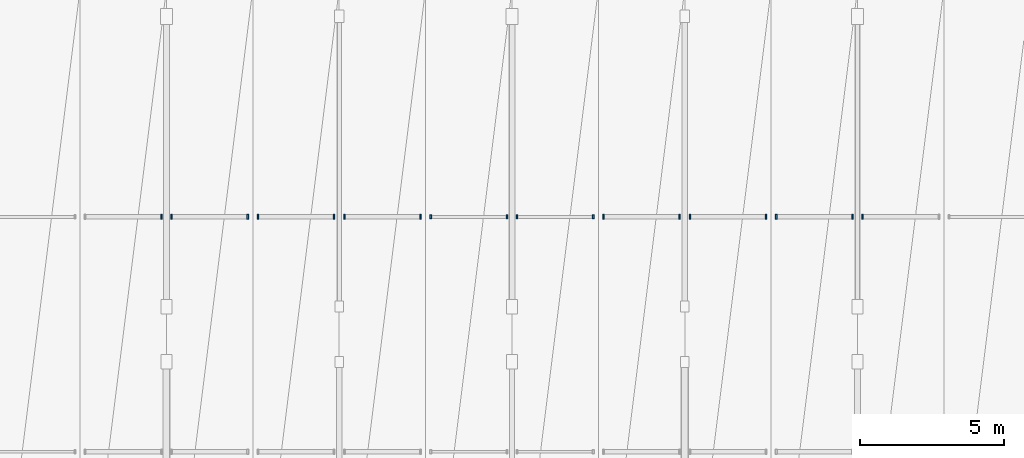
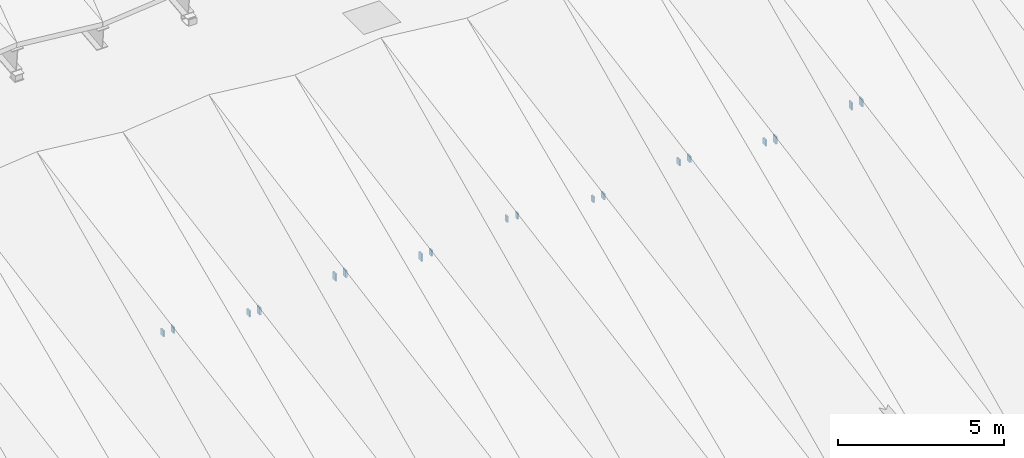
# One storey, part 47 of 52: 18 discrete accessories.
"""IFC4 building model written with IfcOpenShell, lengths in metres."""

from ifc_helpers import new_model, si_unit, direction, frame, origin, origin_2d, place, context, subcontext, project, spatial, rectangle, extrude, material, layer, layer_set, type_object, element, save


model = new_model("IFC4")

# Units and contexts
model_context = context("Model", 3, precision=1e-05, world=origin(), true_north=direction((0.0, 1.0)))
body_context = subcontext(model_context, "Body", "Model", "MODEL_VIEW")
ifc_project = project(units=[si_unit("LENGTHUNIT", "METRE"), si_unit("AREAUNIT", "SQUARE_METRE"), si_unit("VOLUMEUNIT", "CUBIC_METRE"), si_unit("PLANEANGLEUNIT", "RADIAN"), si_unit("MASSUNIT", "GRAM", prefix="KILO")], contexts=[model_context])

# Site, building, storey
site_placement = place(None, origin())
site = spatial("IfcSite", under=ifc_project, at=site_placement, CompositionType="ELEMENT")
building_placement = place(site_placement, origin())
building = spatial("IfcBuilding", under=site, at=building_placement, Name="Vaelkrest Opera House", CompositionType="ELEMENT")
storey_placement = place(building_placement, frame((0.0, 0.0, 41.39990234375)))
storey = spatial("IfcBuildingStorey", under=building, at=storey_placement, Name="ROOF", CompositionType="ELEMENT", Elevation=41.39990234375)

# Discrete accessories
ifc_material = material(Name="Steel A572 Gr50", Category="steel")
ifc_layer = layer(ifc_material, 0.320068359375)
ifc_layer_set = layer_set([ifc_layer], Name="Steel A572 Gr50")
discrete_accessory_type = type_object("IfcDiscreteAccessoryType", Name="ECP01", PredefinedType="USERDEFINED", material=ifc_layer_set)
for number, where, z_axis, x_axis, name in (
    (1, (-15.177490234375, 8.280029296875, -4.9072265625), (0.0, 0.0, 1.0), (1.0, 0.0, 0.0), "Purlin HSS end cap plate V1-03-S3-67-W1"),
    (2, (-14.822509765625, 8.280029296875, -4.9072265625), (0.0, 0.0, 1.0), (1.0, 0.0, 0.0), "Purlin HSS end cap plate V1-03-S3-67-E0"),
    (3, (-12.177490234375, 8.280029296875, -5.2314453125), (0.0, 0.0, 1.0), (1.0, 0.0, 0.0), "Purlin HSS end cap plate V1-03-S3-67-E1"),
):
    element("IfcDiscreteAccessory", number, at=place(storey_placement, frame(where, z_axis=z_axis, x_axis=x_axis)), inside=storey, type_object=discrete_accessory_type, Name=name, ObjectType="CAP PLATE", PredefinedType="USERDEFINED", context=body_context, shape_type="SweptSolid", body=[
        extrude(rectangle(XDim=0.054931640625, YDim=0.176025390625, at=origin_2d()), origin(), (0.0, 0.0, 1.0), 0.218994140625),
    ])
for number, where, z_axis, x_axis, name in (
    (4, (-11.822509765625, 8.280029296875, -5.281982421875), (0.0, 0.0, 1.0), (1.0, 0.0, 0.0), "Purlin HSS end cap plate V1-04-S3-67-W0"),
    (5, (-9.177490234375, 8.280029296875, -4.9580078125), (0.0, 0.0, 1.0), (1.0, 0.0, 0.0), "Purlin HSS end cap plate V1-04-S3-67-W1"),
    (6, (-8.822509765625, 8.280029296875, -4.9580078125), (0.0, 0.0, 1.0), (1.0, 0.0, 0.0), "Purlin HSS end cap plate V1-04-S3-67-E0"),
    (7, (-6.177490234375, 8.280029296875, -5.281982421875), (0.0, 0.0, 1.0), (1.0, 0.0, 0.0), "Purlin HSS end cap plate V1-04-S3-67-E1"),
):
    element("IfcDiscreteAccessory", number, at=place(storey_placement, frame(where, z_axis=z_axis, x_axis=x_axis)), inside=storey, type_object=discrete_accessory_type, Name=name, ObjectType="CAP PLATE", PredefinedType="USERDEFINED", context=body_context, shape_type="SweptSolid", body=[
        extrude(rectangle(XDim=0.054931640625, YDim=0.176025390625, at=origin_2d()), origin(), (0.0, 0.0, 1.0), 0.27001953125),
    ])
for number, where, z_axis, x_axis, name in (
    (8, (-5.822509765625, 8.280029296875, -5.2314453125), (0.0, 0.0, 1.0), (1.0, 0.0, 0.0), "Purlin HSS end cap plate V1-05-S3-67-W0"),
    (9, (-3.177490234375, 8.280029296875, -4.9072265625), (0.0, 0.0, 1.0), (1.0, 0.0, 0.0), "Purlin HSS end cap plate V1-05-S3-67-W1"),
    (10, (-2.822509765625, 8.280029296875, -4.9072265625), (0.0, 0.0, 1.0), (1.0, 0.0, 0.0), "Purlin HSS end cap plate V1-05-S3-67-E0"),
    (11, (-0.177490234375, 8.280029296875, -5.2314453125), (0.0, 0.0, 1.0), (1.0, 0.0, 0.0), "Purlin HSS end cap plate V1-05-S3-67-E1"),
):
    element("IfcDiscreteAccessory", number, at=place(storey_placement, frame(where, z_axis=z_axis, x_axis=x_axis)), inside=storey, type_object=discrete_accessory_type, Name=name, ObjectType="CAP PLATE", PredefinedType="USERDEFINED", context=body_context, shape_type="SweptSolid", body=[
        extrude(rectangle(XDim=0.054931640625, YDim=0.1259765625, at=origin_2d()), origin(), (0.0, 0.0, 1.0), 0.218994140625),
    ])
for number, where, z_axis, x_axis, name in (
    (12, (0.177490234375, 8.280029296875, -5.2314453125), (0.0, 0.0, 1.0), (1.0, 0.0, 0.0), "Purlin HSS end cap plate V1-06-S3-67-W0"),
    (13, (2.822509765625, 8.280029296875, -4.9072265625), (0.0, 0.0, 1.0), (1.0, 0.0, 0.0), "Purlin HSS end cap plate V1-06-S3-67-W1"),
    (14, (3.177490234375, 8.280029296875, -4.9072265625), (0.0, 0.0, 1.0), (1.0, 0.0, 0.0), "Purlin HSS end cap plate V1-06-S3-67-E0"),
    (15, (5.822509765625, 8.280029296875, -5.2314453125), (0.0, 0.0, 1.0), (1.0, 0.0, 0.0), "Purlin HSS end cap plate V1-06-S3-67-E1"),
):
    element("IfcDiscreteAccessory", number, at=place(storey_placement, frame(where, z_axis=z_axis, x_axis=x_axis)), inside=storey, type_object=discrete_accessory_type, Name=name, ObjectType="CAP PLATE", PredefinedType="USERDEFINED", context=body_context, shape_type="SweptSolid", body=[
        extrude(rectangle(XDim=0.054931640625, YDim=0.176025390625, at=origin_2d()), origin(), (0.0, 0.0, 1.0), 0.218994140625),
    ])
for number, where, z_axis, x_axis, name in (
    (16, (6.177490234375, 8.280029296875, -5.281982421875), (0.0, 0.0, 1.0), (1.0, 0.0, 0.0), "Purlin HSS end cap plate V1-07-S3-67-W0"),
    (17, (8.822509765625, 8.280029296875, -4.9580078125), (0.0, 0.0, 1.0), (1.0, 0.0, 0.0), "Purlin HSS end cap plate V1-07-S3-67-W1"),
    (18, (9.177490234375, 8.280029296875, -4.9580078125), (0.0, 0.0, 1.0), (1.0, 0.0, 0.0), "Purlin HSS end cap plate V1-07-S3-67-E0"),
):
    element("IfcDiscreteAccessory", number, at=place(storey_placement, frame(where, z_axis=z_axis, x_axis=x_axis)), inside=storey, type_object=discrete_accessory_type, Name=name, ObjectType="CAP PLATE", PredefinedType="USERDEFINED", context=body_context, shape_type="SweptSolid", body=[
        extrude(rectangle(XDim=0.054931640625, YDim=0.176025390625, at=origin_2d()), origin(), (0.0, 0.0, 1.0), 0.27001953125),
    ])

save(model, "model.ifc")
